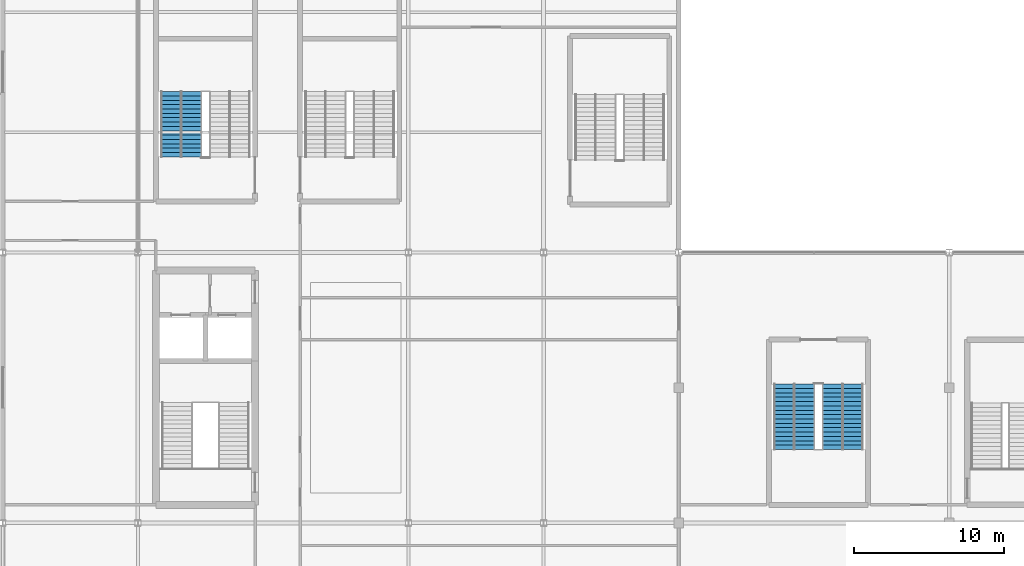
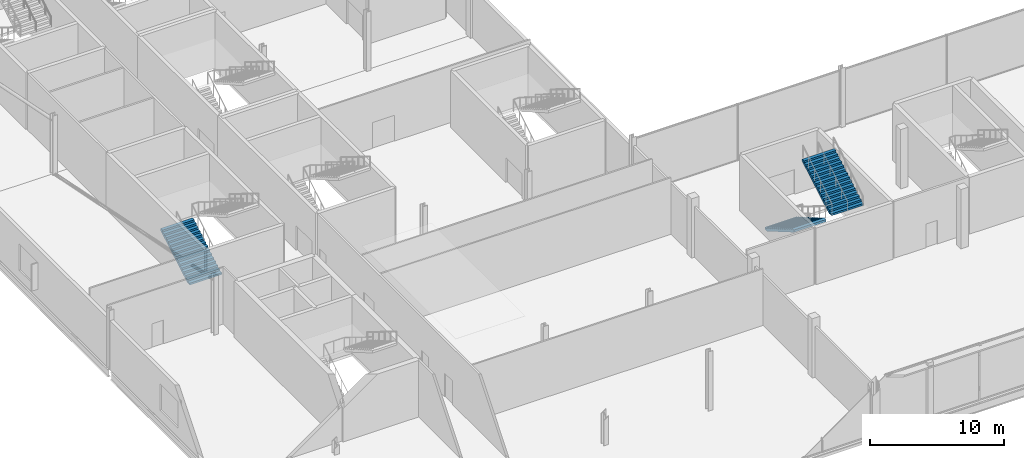
# One storey, part 81 of 111: 3 stair flights, 2 elements without a shape of their own.
"""IFC4 building model written with IfcOpenShell, lengths in metres."""

from ifc_helpers import new_model, si_unit, direction, frame, origin, place, context, subcontext, project, spatial, polygons, material, type_object, element, aggregate, save


model = new_model("IFC4")

# Units and contexts
model_context = context("Model", 3, precision=1e-05, world=origin(), true_north=direction((0.0, 1.0)))
body_context = subcontext(model_context, "Body", "Model", "MODEL_VIEW")
ifc_project = project(units=[si_unit("LENGTHUNIT", "METRE"), si_unit("AREAUNIT", "SQUARE_METRE"), si_unit("VOLUMEUNIT", "CUBIC_METRE"), si_unit("PLANEANGLEUNIT", "RADIAN"), si_unit("MASSUNIT", "GRAM", prefix="KILO")], contexts=[model_context])

# Site, building, storey
site_placement = place(None, origin())
site = spatial("IfcSite", under=ifc_project, at=site_placement, CompositionType="ELEMENT")
building_placement = place(site_placement, origin())
building = spatial("IfcBuilding", under=site, at=building_placement, Name="Kisiwana Market Hall", CompositionType="ELEMENT")
storey_placement = place(building_placement, frame((0.0, 0.0, 11.39990234375)))
storey = spatial("IfcBuildingStorey", under=building, at=storey_placement, Name="L02", CompositionType="ELEMENT", Elevation=11.39990234375)

# Stair, stair flight
ifc_material_1 = material(Name="Concrete C32/40", Category="concrete")
stair_type = type_object("IfcStairType", Name="ST-ESC-5400", PredefinedType="TWO_STRAIGHT_RUN_STAIR", material=ifc_material_1)
stair_1_placement = place(storey_placement, origin())
stair_1 = element("IfcStair", 1, at=stair_1_placement, inside=storey, type_object=stair_type, Name="Escape stair ST-W3-L02", PredefinedType="TWO_STRAIGHT_RUN_STAIR")
ifc_material_2 = material(Name="Concrete C32/40", Category="concrete")
stair_flight_type = type_object("IfcStairFlightType", Name="SF-ESC-5400", PredefinedType="STRAIGHT", material=ifc_material_2)
stair_flight_1_placement = place(storey_placement, frame((11.889892578125, 42.360107421875, 0.0), z_axis=(0.0, 0.0, 1.0), x_axis=(0.0, 1.0, 0.0)))
stair_flight_1 = element("IfcStairFlight", 2, at=stair_flight_1_placement, type_object=stair_flight_type, Name="ST-W3-L02 flight 1", NumberOfRisers=16, NumberOfTreads=15, PredefinedType="STRAIGHT", RiserHeight=0.16875, TreadLength=0.29, context=body_context, shape_type="Tessellation", body=[
    polygons([(0.0, -1.380127, 0.0), (0.0, -0.690125, 0.0), (0.0, -0.000122, 0.0), (0.0, 0.68988, 0.0), (0.0, 1.379883, 0.0), (0.0, -1.380127, 0.168701), (0.0, -0.690125, 0.168701), (0.0, -0.000122, 0.168701), (0.0, 0.68988, 0.168701), (0.0, 1.379883, 0.168701), (0.290039, -1.380127, 0.168701), (0.290039, -0.690125, 0.168701), (0.290039, -0.000122, 0.168701), (0.290039, 0.68988, 0.168701), (0.290039, 1.379883, 0.168701), (0.290039, -1.380127, 0.337402), (0.290039, -0.690125, 0.337402), (0.290039, -0.000122, 0.337402), (0.290039, 0.68988, 0.337402), (0.290039, 1.379883, 0.337402), (0.580078, -1.380127, 0.337402), (0.580078, -0.690125, 0.337402), (0.580078, -0.000122, 0.337402), (0.580078, 0.68988, 0.337402), (0.580078, 1.379883, 0.337402), (0.580078, -1.380127, 0.506348), (0.580078, -0.690125, 0.506348), (0.580078, -0.000122, 0.506348), (0.580078, 0.68988, 0.506348), (0.580078, 1.379883, 0.506348), (0.870117, -1.380127, 0.506348), (0.870117, -0.690125, 0.506348), (0.870117, -0.000122, 0.506348), (0.870117, 0.68988, 0.506348), (0.870117, 1.379883, 0.506348), (0.870117, -1.380127, 0.675049), (0.870117, -0.690125, 0.675049), (0.870117, -0.000122, 0.675049), (0.870117, 0.68988, 0.675049), (0.870117, 1.379883, 0.675049), (1.159912, -1.380127, 0.675049), (1.159912, -0.690125, 0.675049), (1.159912, -0.000122, 0.675049), (1.159912, 0.68988, 0.675049), (1.159912, 1.379883, 0.675049), (1.159912, -1.380127, 0.84375), (1.159912, -0.690125, 0.84375), (1.159912, -0.000122, 0.84375), (1.159912, 0.68988, 0.84375), (1.159912, 1.379883, 0.84375), (1.449951, -1.380127, 0.84375), (1.449951, -0.690125, 0.84375), (1.449951, -0.000122, 0.84375), (1.449951, 0.68988, 0.84375), (1.449951, 1.379883, 0.84375), (1.449951, -1.380127, 1.012451), (1.449951, -0.690125, 1.012451), (1.449951, -0.000122, 1.012451), (1.449951, 0.68988, 1.012451), (1.449951, 1.379883, 1.012451), (1.73999, -1.380127, 1.012451), (1.73999, -0.690125, 1.012451), (1.73999, -0.000122, 1.012451), (1.73999, 0.68988, 1.012451), (1.73999, 1.379883, 1.012451), (1.73999, -1.380127, 1.181152), (1.73999, -0.690125, 1.181152), (1.73999, -0.000122, 1.181152), (1.73999, 0.68988, 1.181152), (1.73999, 1.379883, 1.181152), (2.030029, -1.380127, 1.181152), (2.030029, -0.690125, 1.181152), (2.030029, -0.000122, 1.181152), (2.030029, 0.68988, 1.181152), (2.030029, 1.379883, 1.181152), (2.030029, -1.380127, 1.350098), (2.030029, -0.690125, 1.350098), (2.030029, -0.000122, 1.350098), (2.030029, 0.68988, 1.350098), (2.030029, 1.379883, 1.350098), (2.320068, -1.380127, 1.350098), (2.320068, -0.690125, 1.350098), (2.320068, -0.000122, 1.350098), (2.320068, 0.68988, 1.350098), (2.320068, 1.379883, 1.350098), (2.320068, -1.380127, 1.518799), (2.320068, -0.690125, 1.518799), (2.320068, -0.000122, 1.518799), (2.320068, 0.68988, 1.518799), (2.320068, 1.379883, 1.518799), (2.610107, -1.380127, 1.518799), (2.610107, -0.690125, 1.518799), (2.610107, -0.000122, 1.518799), (2.610107, 0.68988, 1.518799), (2.610107, 1.379883, 1.518799), (2.610107, -1.380127, 1.6875), (2.610107, -0.690125, 1.6875), (2.610107, -0.000122, 1.6875), (2.610107, 0.68988, 1.6875), (2.610107, 1.379883, 1.6875), (2.899902, -1.380127, 1.6875), (2.899902, -0.690125, 1.6875), (2.899902, -0.000122, 1.6875), (2.899902, 0.68988, 1.6875), (2.899902, 1.379883, 1.6875), (2.899902, -1.380127, 1.856201), (2.899902, -0.690125, 1.856201), (2.899902, -0.000122, 1.856201), (2.899902, 0.68988, 1.856201), (2.899902, 1.379883, 1.856201), (3.189941, -1.380127, 1.856201), (3.189941, -0.690125, 1.856201), (3.189941, -0.000122, 1.856201), (3.189941, 0.68988, 1.856201), (3.189941, 1.379883, 1.856201), (3.189941, -1.380127, 2.024902), (3.189941, -0.690125, 2.024902), (3.189941, -0.000122, 2.024902), (3.189941, 0.68988, 2.024902), (3.189941, 1.379883, 2.024902), (3.47998, -1.380127, 2.024902), (3.47998, -0.690125, 2.024902), (3.47998, -0.000122, 2.024902), (3.47998, 0.68988, 2.024902), (3.47998, 1.379883, 2.024902), (3.47998, -1.380127, 2.193848), (3.47998, -0.690125, 2.193848), (3.47998, -0.000122, 2.193848), (3.47998, 0.68988, 2.193848), (3.47998, 1.379883, 2.193848), (3.77002, -1.380127, 2.193848), (3.77002, -0.690125, 2.193848), (3.77002, -0.000122, 2.193848), (3.77002, 0.68988, 2.193848), (3.77002, 1.379883, 2.193848), (3.77002, -1.380127, 2.362549), (3.77002, -0.690125, 2.362549), (3.77002, -0.000122, 2.362549), (3.77002, 0.68988, 2.362549), (3.77002, 1.379883, 2.362549), (4.060059, -1.380127, 2.362549), (4.060059, -0.690125, 2.362549), (4.060059, -0.000122, 2.362549), (4.060059, 0.68988, 2.362549), (4.060059, 1.379883, 2.362549), (4.060059, -1.380127, 2.53125), (4.060059, -0.690125, 2.53125), (4.060059, -0.000122, 2.53125), (4.060059, 0.68988, 2.53125), (4.060059, 1.379883, 2.53125), (4.350098, -1.380127, 2.53125), (4.350098, -0.690125, 2.53125), (4.350098, -0.000122, 2.53125), (4.350098, 0.68988, 2.53125), (4.350098, 1.379883, 2.53125), (4.350098, -1.380127, 2.322998), (4.350098, -0.690125, 2.322998), (4.350098, -0.000122, 2.322998), (4.350098, 0.68988, 2.322998), (4.350098, 1.379883, 2.322998), (0.357666, -1.380127, 0.0), (0.357666, -0.690125, 0.0), (0.357666, -0.000122, 0.0), (0.357666, 0.68988, 0.0), (0.357666, 1.379883, 0.0)], [[[1, 6, 7, 2]], [[2, 7, 8, 3]], [[3, 8, 9, 4]], [[4, 9, 10, 5]], [[6, 11, 12, 7]], [[7, 12, 13, 8]], [[8, 13, 14, 9]], [[9, 14, 15, 10]], [[11, 16, 17, 12]], [[12, 17, 18, 13]], [[13, 18, 19, 14]], [[14, 19, 20, 15]], [[16, 21, 22, 17]], [[17, 22, 23, 18]], [[18, 23, 24, 19]], [[19, 24, 25, 20]], [[21, 26, 27, 22]], [[22, 27, 28, 23]], [[23, 28, 29, 24]], [[24, 29, 30, 25]], [[26, 31, 32, 27]], [[27, 32, 33, 28]], [[28, 33, 34, 29]], [[29, 34, 35, 30]], [[31, 36, 37, 32]], [[32, 37, 38, 33]], [[33, 38, 39, 34]], [[34, 39, 40, 35]], [[36, 41, 42, 37]], [[37, 42, 43, 38]], [[38, 43, 44, 39]], [[39, 44, 45, 40]], [[41, 46, 47, 42]], [[42, 47, 48, 43]], [[43, 48, 49, 44]], [[44, 49, 50, 45]], [[46, 51, 52, 47]], [[47, 52, 53, 48]], [[48, 53, 54, 49]], [[49, 54, 55, 50]], [[51, 56, 57, 52]], [[52, 57, 58, 53]], [[53, 58, 59, 54]], [[54, 59, 60, 55]], [[56, 61, 62, 57]], [[57, 62, 63, 58]], [[58, 63, 64, 59]], [[59, 64, 65, 60]], [[61, 66, 67, 62]], [[62, 67, 68, 63]], [[63, 68, 69, 64]], [[64, 69, 70, 65]], [[66, 71, 72, 67]], [[67, 72, 73, 68]], [[68, 73, 74, 69]], [[69, 74, 75, 70]], [[71, 76, 77, 72]], [[72, 77, 78, 73]], [[73, 78, 79, 74]], [[74, 79, 80, 75]], [[76, 81, 82, 77]], [[77, 82, 83, 78]], [[78, 83, 84, 79]], [[79, 84, 85, 80]], [[81, 86, 87, 82]], [[82, 87, 88, 83]], [[83, 88, 89, 84]], [[84, 89, 90, 85]], [[86, 91, 92, 87]], [[87, 92, 93, 88]], [[88, 93, 94, 89]], [[89, 94, 95, 90]], [[91, 96, 97, 92]], [[92, 97, 98, 93]], [[93, 98, 99, 94]], [[94, 99, 100, 95]], [[96, 101, 102, 97]], [[97, 102, 103, 98]], [[98, 103, 104, 99]], [[99, 104, 105, 100]], [[101, 106, 107, 102]], [[102, 107, 108, 103]], [[103, 108, 109, 104]], [[104, 109, 110, 105]], [[106, 111, 112, 107]], [[107, 112, 113, 108]], [[108, 113, 114, 109]], [[109, 114, 115, 110]], [[111, 116, 117, 112]], [[112, 117, 118, 113]], [[113, 118, 119, 114]], [[114, 119, 120, 115]], [[116, 121, 122, 117]], [[117, 122, 123, 118]], [[118, 123, 124, 119]], [[119, 124, 125, 120]], [[121, 126, 127, 122]], [[122, 127, 128, 123]], [[123, 128, 129, 124]], [[124, 129, 130, 125]], [[126, 131, 132, 127]], [[127, 132, 133, 128]], [[128, 133, 134, 129]], [[129, 134, 135, 130]], [[131, 136, 137, 132]], [[132, 137, 138, 133]], [[133, 138, 139, 134]], [[134, 139, 140, 135]], [[136, 141, 142, 137]], [[137, 142, 143, 138]], [[138, 143, 144, 139]], [[139, 144, 145, 140]], [[141, 146, 147, 142]], [[142, 147, 148, 143]], [[143, 148, 149, 144]], [[144, 149, 150, 145]], [[146, 151, 152, 147]], [[147, 152, 153, 148]], [[148, 153, 154, 149]], [[149, 154, 155, 150]], [[151, 156, 157, 152]], [[152, 157, 158, 153]], [[153, 158, 159, 154]], [[154, 159, 160, 155]], [[156, 161, 162, 157]], [[157, 162, 163, 158]], [[158, 163, 164, 159]], [[159, 164, 165, 160]], [[161, 1, 2, 162]], [[162, 2, 3, 163]], [[163, 3, 4, 164]], [[164, 4, 5, 165]], [[161, 156, 151, 146, 141, 136, 131, 126, 121, 116, 111, 106, 101, 96, 91, 86, 81, 76, 71, 66, 61, 56, 51, 46, 41, 36, 31, 26, 21, 16, 11, 6, 1]], [[5, 10, 15, 20, 25, 30, 35, 40, 45, 50, 55, 60, 65, 70, 75, 80, 85, 90, 95, 100, 105, 110, 115, 120, 125, 130, 135, 140, 145, 150, 155, 160, 165]]], closed=True),
])
aggregate(stair_1, [stair_flight_1])

# Stair, stair flights
stair_2_placement = place(storey_placement, origin())
stair_2 = element("IfcStair", 3, at=stair_2_placement, inside=storey, type_object=stair_type, Name="Escape stair ST-S3-L02", PredefinedType="TWO_STRAIGHT_RUN_STAIR")
stair_flight_2_placement = place(storey_placement, frame((52.68994140625, 27.239990234375, 0.0), z_axis=(0.0, 0.0, 1.0), x_axis=(0.0, -1.0, 0.0)))
stair_flight_2 = element("IfcStairFlight", 4, at=stair_flight_2_placement, type_object=stair_flight_type, Name="ST-S3-L02 flight 1", NumberOfRisers=16, NumberOfTreads=15, PredefinedType="STRAIGHT", RiserHeight=0.16875, TreadLength=0.29, context=body_context, shape_type="Tessellation", body=[
    polygons([(0.0, -1.380127, 0.0), (0.0, -0.690125, 0.0), (0.0, -0.000122, 0.0), (0.0, 0.68988, 0.0), (0.0, 1.379883, 0.0), (0.0, -1.380127, 0.168701), (0.0, -0.690125, 0.168701), (0.0, -0.000122, 0.168701), (0.0, 0.68988, 0.168701), (0.0, 1.379883, 0.168701), (0.290039, -1.380127, 0.168701), (0.290039, -0.690125, 0.168701), (0.290039, -0.000122, 0.168701), (0.290039, 0.68988, 0.168701), (0.290039, 1.379883, 0.168701), (0.290039, -1.380127, 0.337402), (0.290039, -0.690125, 0.337402), (0.290039, -0.000122, 0.337402), (0.290039, 0.68988, 0.337402), (0.290039, 1.379883, 0.337402), (0.580078, -1.380127, 0.337402), (0.580078, -0.690125, 0.337402), (0.580078, -0.000122, 0.337402), (0.580078, 0.68988, 0.337402), (0.580078, 1.379883, 0.337402), (0.580078, -1.380127, 0.506348), (0.580078, -0.690125, 0.506348), (0.580078, -0.000122, 0.506348), (0.580078, 0.68988, 0.506348), (0.580078, 1.379883, 0.506348), (0.870117, -1.380127, 0.506348), (0.870117, -0.690125, 0.506348), (0.870117, -0.000122, 0.506348), (0.870117, 0.68988, 0.506348), (0.870117, 1.379883, 0.506348), (0.870117, -1.380127, 0.675049), (0.870117, -0.690125, 0.675049), (0.870117, -0.000122, 0.675049), (0.870117, 0.68988, 0.675049), (0.870117, 1.379883, 0.675049), (1.159912, -1.380127, 0.675049), (1.159912, -0.690125, 0.675049), (1.159912, -0.000122, 0.675049), (1.159912, 0.68988, 0.675049), (1.159912, 1.379883, 0.675049), (1.159912, -1.380127, 0.84375), (1.159912, -0.690125, 0.84375), (1.159912, -0.000122, 0.84375), (1.159912, 0.68988, 0.84375), (1.159912, 1.379883, 0.84375), (1.449951, -1.380127, 0.84375), (1.449951, -0.690125, 0.84375), (1.449951, -0.000122, 0.84375), (1.449951, 0.68988, 0.84375), (1.449951, 1.379883, 0.84375), (1.449951, -1.380127, 1.012451), (1.449951, -0.690125, 1.012451), (1.449951, -0.000122, 1.012451), (1.449951, 0.68988, 1.012451), (1.449951, 1.379883, 1.012451), (1.73999, -1.380127, 1.012451), (1.73999, -0.690125, 1.012451), (1.73999, -0.000122, 1.012451), (1.73999, 0.68988, 1.012451), (1.73999, 1.379883, 1.012451), (1.73999, -1.380127, 1.181152), (1.73999, -0.690125, 1.181152), (1.73999, -0.000122, 1.181152), (1.73999, 0.68988, 1.181152), (1.73999, 1.379883, 1.181152), (2.030029, -1.380127, 1.181152), (2.030029, -0.690125, 1.181152), (2.030029, -0.000122, 1.181152), (2.030029, 0.68988, 1.181152), (2.030029, 1.379883, 1.181152), (2.030029, -1.380127, 1.350098), (2.030029, -0.690125, 1.350098), (2.030029, -0.000122, 1.350098), (2.030029, 0.68988, 1.350098), (2.030029, 1.379883, 1.350098), (2.320068, -1.380127, 1.350098), (2.320068, -0.690125, 1.350098), (2.320068, -0.000122, 1.350098), (2.320068, 0.68988, 1.350098), (2.320068, 1.379883, 1.350098), (2.320068, -1.380127, 1.518799), (2.320068, -0.690125, 1.518799), (2.320068, -0.000122, 1.518799), (2.320068, 0.68988, 1.518799), (2.320068, 1.379883, 1.518799), (2.610107, -1.380127, 1.518799), (2.610107, -0.690125, 1.518799), (2.610107, -0.000122, 1.518799), (2.610107, 0.68988, 1.518799), (2.610107, 1.379883, 1.518799), (2.610107, -1.380127, 1.6875), (2.610107, -0.690125, 1.6875), (2.610107, -0.000122, 1.6875), (2.610107, 0.68988, 1.6875), (2.610107, 1.379883, 1.6875), (2.899902, -1.380127, 1.6875), (2.899902, -0.690125, 1.6875), (2.899902, -0.000122, 1.6875), (2.899902, 0.68988, 1.6875), (2.899902, 1.379883, 1.6875), (2.899902, -1.380127, 1.856201), (2.899902, -0.690125, 1.856201), (2.899902, -0.000122, 1.856201), (2.899902, 0.68988, 1.856201), (2.899902, 1.379883, 1.856201), (3.189941, -1.380127, 1.856201), (3.189941, -0.690125, 1.856201), (3.189941, -0.000122, 1.856201), (3.189941, 0.68988, 1.856201), (3.189941, 1.379883, 1.856201), (3.189941, -1.380127, 2.024902), (3.189941, -0.690125, 2.024902), (3.189941, -0.000122, 2.024902), (3.189941, 0.68988, 2.024902), (3.189941, 1.379883, 2.024902), (3.47998, -1.380127, 2.024902), (3.47998, -0.690125, 2.024902), (3.47998, -0.000122, 2.024902), (3.47998, 0.68988, 2.024902), (3.47998, 1.379883, 2.024902), (3.47998, -1.380127, 2.193848), (3.47998, -0.690125, 2.193848), (3.47998, -0.000122, 2.193848), (3.47998, 0.68988, 2.193848), (3.47998, 1.379883, 2.193848), (3.77002, -1.380127, 2.193848), (3.77002, -0.690125, 2.193848), (3.77002, -0.000122, 2.193848), (3.77002, 0.68988, 2.193848), (3.77002, 1.379883, 2.193848), (3.77002, -1.380127, 2.362549), (3.77002, -0.690125, 2.362549), (3.77002, -0.000122, 2.362549), (3.77002, 0.68988, 2.362549), (3.77002, 1.379883, 2.362549), (4.060059, -1.380127, 2.362549), (4.060059, -0.690125, 2.362549), (4.060059, -0.000122, 2.362549), (4.060059, 0.68988, 2.362549), (4.060059, 1.379883, 2.362549), (4.060059, -1.380127, 2.53125), (4.060059, -0.690125, 2.53125), (4.060059, -0.000122, 2.53125), (4.060059, 0.68988, 2.53125), (4.060059, 1.379883, 2.53125), (4.350098, -1.380127, 2.53125), (4.350098, -0.690125, 2.53125), (4.350098, -0.000122, 2.53125), (4.350098, 0.68988, 2.53125), (4.350098, 1.379883, 2.53125), (4.350098, -1.380127, 2.322998), (4.350098, -0.690125, 2.322998), (4.350098, -0.000122, 2.322998), (4.350098, 0.68988, 2.322998), (4.350098, 1.379883, 2.322998), (0.357666, -1.380127, 0.0), (0.357666, -0.690125, 0.0), (0.357666, -0.000122, 0.0), (0.357666, 0.68988, 0.0), (0.357666, 1.379883, 0.0)], [[[1, 6, 7, 2]], [[2, 7, 8, 3]], [[3, 8, 9, 4]], [[4, 9, 10, 5]], [[6, 11, 12, 7]], [[7, 12, 13, 8]], [[8, 13, 14, 9]], [[9, 14, 15, 10]], [[11, 16, 17, 12]], [[12, 17, 18, 13]], [[13, 18, 19, 14]], [[14, 19, 20, 15]], [[16, 21, 22, 17]], [[17, 22, 23, 18]], [[18, 23, 24, 19]], [[19, 24, 25, 20]], [[21, 26, 27, 22]], [[22, 27, 28, 23]], [[23, 28, 29, 24]], [[24, 29, 30, 25]], [[26, 31, 32, 27]], [[27, 32, 33, 28]], [[28, 33, 34, 29]], [[29, 34, 35, 30]], [[31, 36, 37, 32]], [[32, 37, 38, 33]], [[33, 38, 39, 34]], [[34, 39, 40, 35]], [[36, 41, 42, 37]], [[37, 42, 43, 38]], [[38, 43, 44, 39]], [[39, 44, 45, 40]], [[41, 46, 47, 42]], [[42, 47, 48, 43]], [[43, 48, 49, 44]], [[44, 49, 50, 45]], [[46, 51, 52, 47]], [[47, 52, 53, 48]], [[48, 53, 54, 49]], [[49, 54, 55, 50]], [[51, 56, 57, 52]], [[52, 57, 58, 53]], [[53, 58, 59, 54]], [[54, 59, 60, 55]], [[56, 61, 62, 57]], [[57, 62, 63, 58]], [[58, 63, 64, 59]], [[59, 64, 65, 60]], [[61, 66, 67, 62]], [[62, 67, 68, 63]], [[63, 68, 69, 64]], [[64, 69, 70, 65]], [[66, 71, 72, 67]], [[67, 72, 73, 68]], [[68, 73, 74, 69]], [[69, 74, 75, 70]], [[71, 76, 77, 72]], [[72, 77, 78, 73]], [[73, 78, 79, 74]], [[74, 79, 80, 75]], [[76, 81, 82, 77]], [[77, 82, 83, 78]], [[78, 83, 84, 79]], [[79, 84, 85, 80]], [[81, 86, 87, 82]], [[82, 87, 88, 83]], [[83, 88, 89, 84]], [[84, 89, 90, 85]], [[86, 91, 92, 87]], [[87, 92, 93, 88]], [[88, 93, 94, 89]], [[89, 94, 95, 90]], [[91, 96, 97, 92]], [[92, 97, 98, 93]], [[93, 98, 99, 94]], [[94, 99, 100, 95]], [[96, 101, 102, 97]], [[97, 102, 103, 98]], [[98, 103, 104, 99]], [[99, 104, 105, 100]], [[101, 106, 107, 102]], [[102, 107, 108, 103]], [[103, 108, 109, 104]], [[104, 109, 110, 105]], [[106, 111, 112, 107]], [[107, 112, 113, 108]], [[108, 113, 114, 109]], [[109, 114, 115, 110]], [[111, 116, 117, 112]], [[112, 117, 118, 113]], [[113, 118, 119, 114]], [[114, 119, 120, 115]], [[116, 121, 122, 117]], [[117, 122, 123, 118]], [[118, 123, 124, 119]], [[119, 124, 125, 120]], [[121, 126, 127, 122]], [[122, 127, 128, 123]], [[123, 128, 129, 124]], [[124, 129, 130, 125]], [[126, 131, 132, 127]], [[127, 132, 133, 128]], [[128, 133, 134, 129]], [[129, 134, 135, 130]], [[131, 136, 137, 132]], [[132, 137, 138, 133]], [[133, 138, 139, 134]], [[134, 139, 140, 135]], [[136, 141, 142, 137]], [[137, 142, 143, 138]], [[138, 143, 144, 139]], [[139, 144, 145, 140]], [[141, 146, 147, 142]], [[142, 147, 148, 143]], [[143, 148, 149, 144]], [[144, 149, 150, 145]], [[146, 151, 152, 147]], [[147, 152, 153, 148]], [[148, 153, 154, 149]], [[149, 154, 155, 150]], [[151, 156, 157, 152]], [[152, 157, 158, 153]], [[153, 158, 159, 154]], [[154, 159, 160, 155]], [[156, 161, 162, 157]], [[157, 162, 163, 158]], [[158, 163, 164, 159]], [[159, 164, 165, 160]], [[161, 1, 2, 162]], [[162, 2, 3, 163]], [[163, 3, 4, 164]], [[164, 4, 5, 165]], [[161, 156, 151, 146, 141, 136, 131, 126, 121, 116, 111, 106, 101, 96, 91, 86, 81, 76, 71, 66, 61, 56, 51, 46, 41, 36, 31, 26, 21, 16, 11, 6, 1]], [[5, 10, 15, 20, 25, 30, 35, 40, 45, 50, 55, 60, 65, 70, 75, 80, 85, 90, 95, 100, 105, 110, 115, 120, 125, 130, 135, 140, 145, 150, 155, 160, 165]]], closed=True),
])
stair_flight_3_placement = place(storey_placement, frame((55.909912109375, 22.889892578125, 2.7001953125), z_axis=(0.0, 0.0, 1.0), x_axis=(0.0, 1.0, 0.0)))
stair_flight_3 = element("IfcStairFlight", 5, at=stair_flight_3_placement, type_object=stair_flight_type, Name="ST-S3-L02 flight 2", NumberOfRisers=16, NumberOfTreads=15, PredefinedType="STRAIGHT", RiserHeight=0.16875, TreadLength=0.29, context=body_context, shape_type="Tessellation", body=[
    polygons([(0.0, -1.380127, 0.0), (0.0, -0.690125, 0.0), (0.0, -0.000122, 0.0), (0.0, 0.68988, 0.0), (0.0, 1.379883, 0.0), (0.0, -1.380127, 0.168701), (0.0, -0.690125, 0.168701), (0.0, -0.000122, 0.168701), (0.0, 0.68988, 0.168701), (0.0, 1.379883, 0.168701), (0.290039, -1.380127, 0.168701), (0.290039, -0.690125, 0.168701), (0.290039, -0.000122, 0.168701), (0.290039, 0.68988, 0.168701), (0.290039, 1.379883, 0.168701), (0.290039, -1.380127, 0.337402), (0.290039, -0.690125, 0.337402), (0.290039, -0.000122, 0.337402), (0.290039, 0.68988, 0.337402), (0.290039, 1.379883, 0.337402), (0.580078, -1.380127, 0.337402), (0.580078, -0.690125, 0.337402), (0.580078, -0.000122, 0.337402), (0.580078, 0.68988, 0.337402), (0.580078, 1.379883, 0.337402), (0.580078, -1.380127, 0.506348), (0.580078, -0.690125, 0.506348), (0.580078, -0.000122, 0.506348), (0.580078, 0.68988, 0.506348), (0.580078, 1.379883, 0.506348), (0.870117, -1.380127, 0.506348), (0.870117, -0.690125, 0.506348), (0.870117, -0.000122, 0.506348), (0.870117, 0.68988, 0.506348), (0.870117, 1.379883, 0.506348), (0.870117, -1.380127, 0.675049), (0.870117, -0.690125, 0.675049), (0.870117, -0.000122, 0.675049), (0.870117, 0.68988, 0.675049), (0.870117, 1.379883, 0.675049), (1.159912, -1.380127, 0.675049), (1.159912, -0.690125, 0.675049), (1.159912, -0.000122, 0.675049), (1.159912, 0.68988, 0.675049), (1.159912, 1.379883, 0.675049), (1.159912, -1.380127, 0.84375), (1.159912, -0.690125, 0.84375), (1.159912, -0.000122, 0.84375), (1.159912, 0.68988, 0.84375), (1.159912, 1.379883, 0.84375), (1.449951, -1.380127, 0.84375), (1.449951, -0.690125, 0.84375), (1.449951, -0.000122, 0.84375), (1.449951, 0.68988, 0.84375), (1.449951, 1.379883, 0.84375), (1.449951, -1.380127, 1.012451), (1.449951, -0.690125, 1.012451), (1.449951, -0.000122, 1.012451), (1.449951, 0.68988, 1.012451), (1.449951, 1.379883, 1.012451), (1.73999, -1.380127, 1.012451), (1.73999, -0.690125, 1.012451), (1.73999, -0.000122, 1.012451), (1.73999, 0.68988, 1.012451), (1.73999, 1.379883, 1.012451), (1.73999, -1.380127, 1.181152), (1.73999, -0.690125, 1.181152), (1.73999, -0.000122, 1.181152), (1.73999, 0.68988, 1.181152), (1.73999, 1.379883, 1.181152), (2.030029, -1.380127, 1.181152), (2.030029, -0.690125, 1.181152), (2.030029, -0.000122, 1.181152), (2.030029, 0.68988, 1.181152), (2.030029, 1.379883, 1.181152), (2.030029, -1.380127, 1.350098), (2.030029, -0.690125, 1.350098), (2.030029, -0.000122, 1.350098), (2.030029, 0.68988, 1.350098), (2.030029, 1.379883, 1.350098), (2.320068, -1.380127, 1.350098), (2.320068, -0.690125, 1.350098), (2.320068, -0.000122, 1.350098), (2.320068, 0.68988, 1.350098), (2.320068, 1.379883, 1.350098), (2.320068, -1.380127, 1.518799), (2.320068, -0.690125, 1.518799), (2.320068, -0.000122, 1.518799), (2.320068, 0.68988, 1.518799), (2.320068, 1.379883, 1.518799), (2.610107, -1.380127, 1.518799), (2.610107, -0.690125, 1.518799), (2.610107, -0.000122, 1.518799), (2.610107, 0.68988, 1.518799), (2.610107, 1.379883, 1.518799), (2.610107, -1.380127, 1.6875), (2.610107, -0.690125, 1.6875), (2.610107, -0.000122, 1.6875), (2.610107, 0.68988, 1.6875), (2.610107, 1.379883, 1.6875), (2.899902, -1.380127, 1.6875), (2.899902, -0.690125, 1.6875), (2.899902, -0.000122, 1.6875), (2.899902, 0.68988, 1.6875), (2.899902, 1.379883, 1.6875), (2.899902, -1.380127, 1.856201), (2.899902, -0.690125, 1.856201), (2.899902, -0.000122, 1.856201), (2.899902, 0.68988, 1.856201), (2.899902, 1.379883, 1.856201), (3.189941, -1.380127, 1.856201), (3.189941, -0.690125, 1.856201), (3.189941, -0.000122, 1.856201), (3.189941, 0.68988, 1.856201), (3.189941, 1.379883, 1.856201), (3.189941, -1.380127, 2.024902), (3.189941, -0.690125, 2.024902), (3.189941, -0.000122, 2.024902), (3.189941, 0.68988, 2.024902), (3.189941, 1.379883, 2.024902), (3.47998, -1.380127, 2.024902), (3.47998, -0.690125, 2.024902), (3.47998, -0.000122, 2.024902), (3.47998, 0.68988, 2.024902), (3.47998, 1.379883, 2.024902), (3.47998, -1.380127, 2.193848), (3.47998, -0.690125, 2.193848), (3.47998, -0.000122, 2.193848), (3.47998, 0.68988, 2.193848), (3.47998, 1.379883, 2.193848), (3.77002, -1.380127, 2.193848), (3.77002, -0.690125, 2.193848), (3.77002, -0.000122, 2.193848), (3.77002, 0.68988, 2.193848), (3.77002, 1.379883, 2.193848), (3.77002, -1.380127, 2.362549), (3.77002, -0.690125, 2.362549), (3.77002, -0.000122, 2.362549), (3.77002, 0.68988, 2.362549), (3.77002, 1.379883, 2.362549), (4.060059, -1.380127, 2.362549), (4.060059, -0.690125, 2.362549), (4.060059, -0.000122, 2.362549), (4.060059, 0.68988, 2.362549), (4.060059, 1.379883, 2.362549), (4.060059, -1.380127, 2.53125), (4.060059, -0.690125, 2.53125), (4.060059, -0.000122, 2.53125), (4.060059, 0.68988, 2.53125), (4.060059, 1.379883, 2.53125), (4.350098, -1.380127, 2.53125), (4.350098, -0.690125, 2.53125), (4.350098, -0.000122, 2.53125), (4.350098, 0.68988, 2.53125), (4.350098, 1.379883, 2.53125), (4.350098, -1.380127, 2.322998), (4.350098, -0.690125, 2.322998), (4.350098, -0.000122, 2.322998), (4.350098, 0.68988, 2.322998), (4.350098, 1.379883, 2.322998), (0.357666, -1.380127, 0.0), (0.357666, -0.690125, 0.0), (0.357666, -0.000122, 0.0), (0.357666, 0.68988, 0.0), (0.357666, 1.379883, 0.0)], [[[1, 6, 7, 2]], [[2, 7, 8, 3]], [[3, 8, 9, 4]], [[4, 9, 10, 5]], [[6, 11, 12, 7]], [[7, 12, 13, 8]], [[8, 13, 14, 9]], [[9, 14, 15, 10]], [[11, 16, 17, 12]], [[12, 17, 18, 13]], [[13, 18, 19, 14]], [[14, 19, 20, 15]], [[16, 21, 22, 17]], [[17, 22, 23, 18]], [[18, 23, 24, 19]], [[19, 24, 25, 20]], [[21, 26, 27, 22]], [[22, 27, 28, 23]], [[23, 28, 29, 24]], [[24, 29, 30, 25]], [[26, 31, 32, 27]], [[27, 32, 33, 28]], [[28, 33, 34, 29]], [[29, 34, 35, 30]], [[31, 36, 37, 32]], [[32, 37, 38, 33]], [[33, 38, 39, 34]], [[34, 39, 40, 35]], [[36, 41, 42, 37]], [[37, 42, 43, 38]], [[38, 43, 44, 39]], [[39, 44, 45, 40]], [[41, 46, 47, 42]], [[42, 47, 48, 43]], [[43, 48, 49, 44]], [[44, 49, 50, 45]], [[46, 51, 52, 47]], [[47, 52, 53, 48]], [[48, 53, 54, 49]], [[49, 54, 55, 50]], [[51, 56, 57, 52]], [[52, 57, 58, 53]], [[53, 58, 59, 54]], [[54, 59, 60, 55]], [[56, 61, 62, 57]], [[57, 62, 63, 58]], [[58, 63, 64, 59]], [[59, 64, 65, 60]], [[61, 66, 67, 62]], [[62, 67, 68, 63]], [[63, 68, 69, 64]], [[64, 69, 70, 65]], [[66, 71, 72, 67]], [[67, 72, 73, 68]], [[68, 73, 74, 69]], [[69, 74, 75, 70]], [[71, 76, 77, 72]], [[72, 77, 78, 73]], [[73, 78, 79, 74]], [[74, 79, 80, 75]], [[76, 81, 82, 77]], [[77, 82, 83, 78]], [[78, 83, 84, 79]], [[79, 84, 85, 80]], [[81, 86, 87, 82]], [[82, 87, 88, 83]], [[83, 88, 89, 84]], [[84, 89, 90, 85]], [[86, 91, 92, 87]], [[87, 92, 93, 88]], [[88, 93, 94, 89]], [[89, 94, 95, 90]], [[91, 96, 97, 92]], [[92, 97, 98, 93]], [[93, 98, 99, 94]], [[94, 99, 100, 95]], [[96, 101, 102, 97]], [[97, 102, 103, 98]], [[98, 103, 104, 99]], [[99, 104, 105, 100]], [[101, 106, 107, 102]], [[102, 107, 108, 103]], [[103, 108, 109, 104]], [[104, 109, 110, 105]], [[106, 111, 112, 107]], [[107, 112, 113, 108]], [[108, 113, 114, 109]], [[109, 114, 115, 110]], [[111, 116, 117, 112]], [[112, 117, 118, 113]], [[113, 118, 119, 114]], [[114, 119, 120, 115]], [[116, 121, 122, 117]], [[117, 122, 123, 118]], [[118, 123, 124, 119]], [[119, 124, 125, 120]], [[121, 126, 127, 122]], [[122, 127, 128, 123]], [[123, 128, 129, 124]], [[124, 129, 130, 125]], [[126, 131, 132, 127]], [[127, 132, 133, 128]], [[128, 133, 134, 129]], [[129, 134, 135, 130]], [[131, 136, 137, 132]], [[132, 137, 138, 133]], [[133, 138, 139, 134]], [[134, 139, 140, 135]], [[136, 141, 142, 137]], [[137, 142, 143, 138]], [[138, 143, 144, 139]], [[139, 144, 145, 140]], [[141, 146, 147, 142]], [[142, 147, 148, 143]], [[143, 148, 149, 144]], [[144, 149, 150, 145]], [[146, 151, 152, 147]], [[147, 152, 153, 148]], [[148, 153, 154, 149]], [[149, 154, 155, 150]], [[151, 156, 157, 152]], [[152, 157, 158, 153]], [[153, 158, 159, 154]], [[154, 159, 160, 155]], [[156, 161, 162, 157]], [[157, 162, 163, 158]], [[158, 163, 164, 159]], [[159, 164, 165, 160]], [[161, 1, 2, 162]], [[162, 2, 3, 163]], [[163, 3, 4, 164]], [[164, 4, 5, 165]], [[161, 156, 151, 146, 141, 136, 131, 126, 121, 116, 111, 106, 101, 96, 91, 86, 81, 76, 71, 66, 61, 56, 51, 46, 41, 36, 31, 26, 21, 16, 11, 6, 1]], [[5, 10, 15, 20, 25, 30, 35, 40, 45, 50, 55, 60, 65, 70, 75, 80, 85, 90, 95, 100, 105, 110, 115, 120, 125, 130, 135, 140, 145, 150, 155, 160, 165]]], closed=True),
])
aggregate(stair_2, [stair_flight_2, stair_flight_3])

save(model, "model.ifc")
